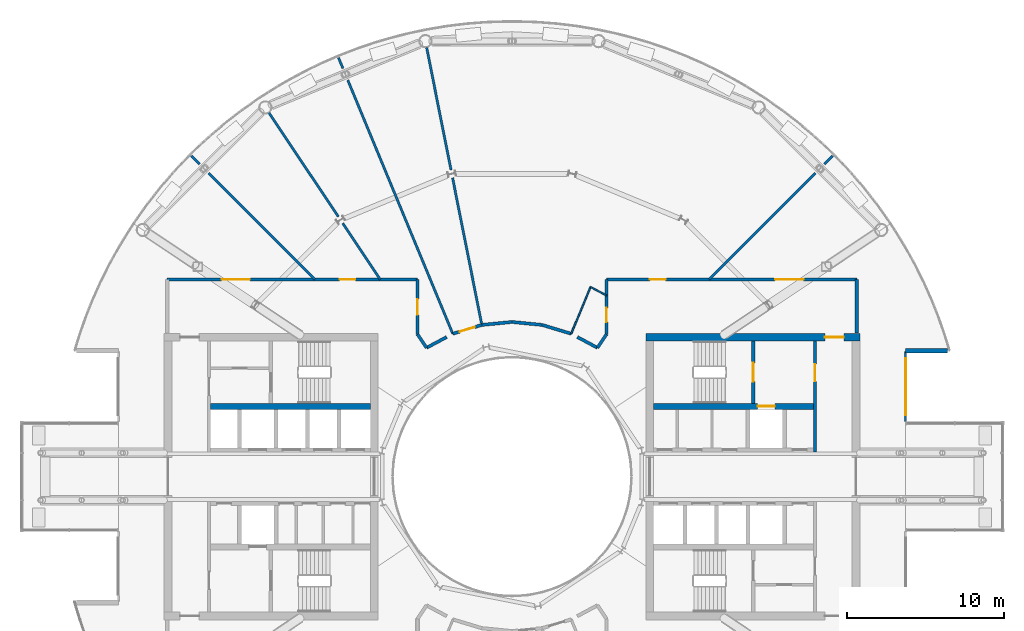
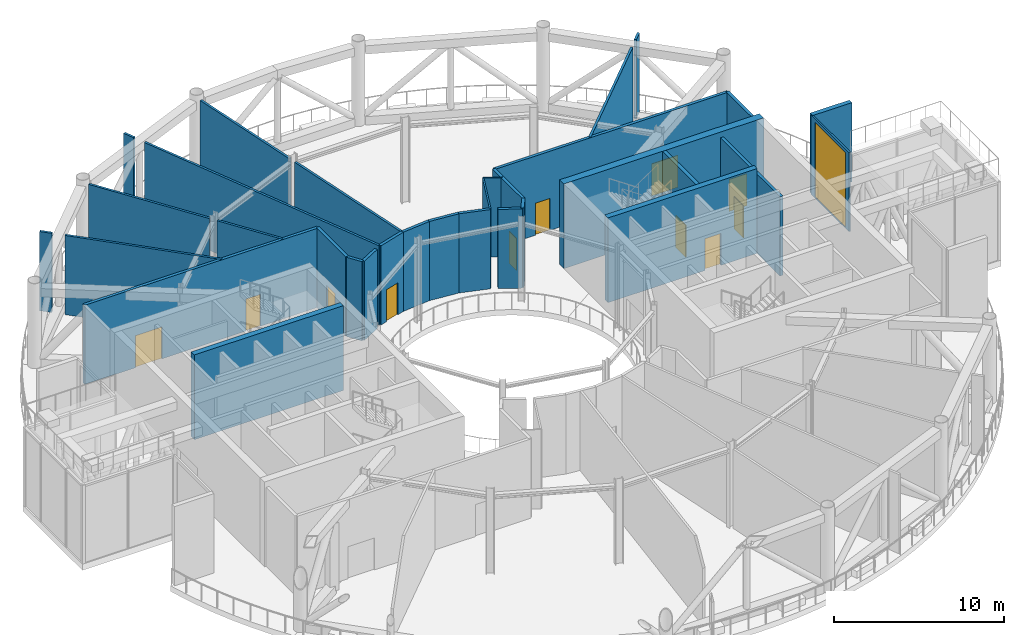
# One storey, part 15 of 24: 32 walls, 11 doors, 1 window, 12 openings.
"""IFC4 building model written with IfcOpenShell, lengths in metres."""

from ifc_helpers import new_model, si_unit, direction, frame, frame_2d, origin, place, context, subcontext, project, spatial, rectangle, extrude, material, layer, layer_set, type_object, element, fill, save


model = new_model("IFC4")

# Units and contexts
model_context = context("Model", 3, precision=1e-05, world=origin(), true_north=direction((0.0, 1.0)))
body_context = subcontext(model_context, "Body", "Model", "MODEL_VIEW")
ifc_project = project(units=[si_unit("LENGTHUNIT", "METRE"), si_unit("AREAUNIT", "SQUARE_METRE"), si_unit("VOLUMEUNIT", "CUBIC_METRE"), si_unit("PLANEANGLEUNIT", "RADIAN"), si_unit("MASSUNIT", "GRAM", prefix="KILO")], contexts=[model_context])

# Site, building, storey
site_placement = place(None, origin())
site = spatial("IfcSite", under=ifc_project, at=site_placement, CompositionType="ELEMENT")
building_placement = place(site_placement, origin())
building = spatial("IfcBuilding", under=site, at=building_placement, Name="Maasbend Ring Residences", CompositionType="ELEMENT")
storey_placement = place(building_placement, frame((0.0, 0.0, 179.89990234375)))
storey = spatial("IfcBuildingStorey", under=building, at=storey_placement, Name="L52", CompositionType="ELEMENT", Elevation=179.89990234375)

# Wall, opening, door
ifc_material_1 = material(Name="Concrete C60/75", Category="concrete")
ifc_layer_1 = layer(ifc_material_1, 0.25)
ifc_layer_set_1 = layer_set([ifc_layer_1], Name="Concrete C60/75")
wall_type_1 = type_object("IfcWallType", Name="CORE WALL 250 C60/75", PredefinedType="SHEAR", material=ifc_layer_set_1)
wall_1_placement = place(storey_placement, frame((15.324951171875, 4.64990234375, 0.0), z_axis=(0.0, 0.0, 1.0), x_axis=(0.0, 1.0, 0.0)))
wall_1 = element("IfcWall", 1, at=wall_1_placement, inside=storey, type_object=wall_type_1, Name="L52 core E wall STEN", PredefinedType="SHEAR", context=body_context, shape_type="SweptSolid", body=[
    extrude(rectangle(XDim=3.9501953125, YDim=0.25, at=frame_2d((1.97509765625, 0.0))), origin(), (0.0, 0.0, 1.0), 6.10009765625),
])
opening_1_placement = place(wall_1_placement, frame((1.375, 0.0, 0.0)))
opening_1 = element("IfcOpeningElement", 2, at=opening_1_placement, cuts=wall_1, Name="Opening D-E5212", PredefinedType="OPENING", context=body_context, shape_type="SweptSolid", body=[
    extrude(rectangle(XDim=1.199951171875, YDim=2.300048828125, at=frame_2d((0.60009765625, 1.14990234375))), frame((0.0, 0.135009765625, 0.0), z_axis=(0.0, -1.0, 0.0), x_axis=(1.0, 0.0, 0.0)), (0.0, 0.0, 1.0), 0.27001953125),
])
ifc_material_2 = material(Name="Steel, powder coated", Category="steel")
door_type_1 = type_object("IfcDoorType", Name="STAIR DOOR 1200 X 2300 FD60", OperationType="NOTDEFINED", PredefinedType="DOOR", material=ifc_material_2)
door_1_placement = place(opening_1_placement, origin())
door_1 = element("IfcDoor", 3, at=door_1_placement, inside=storey, type_object=door_type_1, Name="Stair door ST-E L52", OperationType="SINGLE_SWING_LEFT", OverallHeight=2.300048828125, OverallWidth=1.199951171875, PredefinedType="DOOR", context=body_context, shape_type="SweptSolid", body=[
    extrude(rectangle(XDim=1.199951171875, YDim=2.300048828125, at=frame_2d((0.60009765625, 1.14990234375))), frame((0.0, 0.02490234375, 0.0), z_axis=(0.0, -1.0, 0.0), x_axis=(1.0, 0.0, 0.0)), (0.0, 0.0, 1.0), 0.050048828125),
])
fill(opening_1, door_1)

ifc_material_3 = material(Name="Concrete C60/75", Category="concrete")
ifc_layer_2 = layer(ifc_material_3, 0.375)
ifc_layer_set_2 = layer_set([ifc_layer_2], Name="Concrete C60/75")
wall_type_2 = type_object("IfcWallType", Name="CORE WALL 375 C60/75", PredefinedType="SHEAR", material=ifc_layer_set_2)
wall_2_placement = place(storey_placement, frame((9.0, 4.46240234375, 0.0), z_axis=(0.0, 0.0, 1.0), x_axis=(1.0, 0.0, 0.0)))
wall_2 = element("IfcWall", 4, at=wall_2_placement, inside=storey, type_object=wall_type_2, Name="L52 core E wall BN", PredefinedType="SHEAR", context=body_context, shape_type="SweptSolid", body=[
    extrude(rectangle(XDim=10.14990234375, YDim=0.375, at=frame_2d((5.074951171875, 0.0))), origin(), (0.0, 0.0, 1.0), 6.10009765625),
])
opening_2_placement = place(wall_2_placement, frame((6.60009765625, 0.0, 0.0)))
opening_2 = element("IfcOpeningElement", 5, at=opening_2_placement, cuts=wall_2, Name="Opening LD-E5201", PredefinedType="OPENING", context=body_context, shape_type="SweptSolid", body=[
    extrude(rectangle(XDim=1.10009765625, YDim=2.300048828125, at=frame_2d((0.550048828125, 1.14990234375))), frame((0.0, 0.197509765625, 0.0), z_axis=(0.0, -1.0, 0.0), x_axis=(1.0, 0.0, 0.0)), (0.0, 0.0, 1.0), 0.39501953125),
])
ifc_material_4 = material(Name="Stainless steel 316", Category="steel")
door_type_2 = type_object("IfcDoorType", Name="LANDING DOOR 1100 X 2300 FD60", OperationType="DOUBLE_DOOR_SLIDING", PredefinedType="DOOR", material=ifc_material_4)
door_2_placement = place(opening_2_placement, origin())
door_2 = element("IfcDoor", 6, at=door_2_placement, inside=storey, type_object=door_type_2, Name="Landing door FF-E L52", OperationType="DOUBLE_DOOR_SLIDING", OverallHeight=2.300048828125, OverallWidth=1.10009765625, PredefinedType="DOOR", context=body_context, shape_type="SweptSolid", body=[
    extrude(rectangle(XDim=1.10009765625, YDim=2.300048828125, at=frame_2d((0.550048828125, 1.14990234375))), frame((0.0, 0.02490234375, 0.0), z_axis=(0.0, -1.0, 0.0), x_axis=(1.0, 0.0, 0.0)), (0.0, 0.0, 1.0), 0.050048828125),
])
fill(opening_2, door_2)

# Wall
wall_3_placement = place(storey_placement, frame((-9.0, 4.46240234375, 0.0), z_axis=(0.0, 0.0, 1.0), x_axis=(-1.0, 0.0, 0.0)))
element("IfcWall", 7, at=wall_3_placement, inside=storey, type_object=wall_type_2, Name="L52 core W wall BS", PredefinedType="SHEAR", context=body_context, shape_type="SweptSolid", body=[
    extrude(rectangle(XDim=10.14990234375, YDim=0.375, at=frame_2d((5.074951171875, 0.0))), origin(), (0.0, 0.0, 1.0), 6.10009765625),
])

# Wall, opening, door
ifc_material_5 = material(Name="Concrete C60/75", Category="concrete")
ifc_layer_3 = layer(ifc_material_5, 0.5)
ifc_layer_set_3 = layer_set([ifc_layer_3], Name="Concrete C60/75")
wall_type_3 = type_object("IfcWallType", Name="CORE WALL 500 C60/75", PredefinedType="SHEAR", material=ifc_layer_set_3)
wall_4_placement = place(storey_placement, frame((22.10009765625, 8.85009765625, 0.0), z_axis=(0.0, 0.0, 1.0), x_axis=(-1.0, 0.0, 0.0)))
wall_4 = element("IfcWall", 8, at=wall_4_placement, inside=storey, type_object=wall_type_3, Name="L52 core E wall PN", PredefinedType="SHEAR", context=body_context, shape_type="SweptSolid", body=[
    extrude(rectangle(XDim=13.60009765625, YDim=0.5, at=frame_2d((6.800048828125, 0.0))), origin(), (0.0, 0.0, 1.0), 6.10009765625),
])
opening_3_placement = place(wall_4_placement, frame((1.02490234375, 0.0, 0.0)))
opening_3 = element("IfcOpeningElement", 9, at=opening_3_placement, cuts=wall_4, Name="Opening D-E5216", PredefinedType="OPENING", context=body_context, shape_type="SweptSolid", body=[
    extrude(rectangle(XDim=1.199951171875, YDim=2.300048828125, at=frame_2d((0.60009765625, 1.14990234375))), frame((0.0, 0.260009765625, 0.0), z_axis=(0.0, -1.0, 0.0), x_axis=(1.0, 0.0, 0.0)), (0.0, 0.0, 1.0), 0.52001953125),
])
ifc_material_6 = material(Name="Steel, powder coated", Category="steel")
door_type_3 = type_object("IfcDoorType", Name="CORRIDOR DOOR 1200 X 2300 FD30S", OperationType="NOTDEFINED", PredefinedType="DOOR", material=ifc_material_6)
door_3_placement = place(opening_3_placement, origin())
door_3 = element("IfcDoor", 10, at=door_3_placement, inside=storey, type_object=door_type_3, Name="Corridor door L52", OperationType="SINGLE_SWING_RIGHT", OverallHeight=2.300048828125, OverallWidth=1.199951171875, PredefinedType="DOOR", context=body_context, shape_type="SweptSolid", body=[
    extrude(rectangle(XDim=1.199951171875, YDim=2.300048828125, at=frame_2d((0.60009765625, 1.14990234375))), frame((0.0, 0.02490234375, 0.0), z_axis=(0.0, -1.0, 0.0), x_axis=(1.0, 0.0, 0.0)), (0.0, 0.0, 1.0), 0.050048828125),
])
fill(opening_3, door_3)

# Wall
ifc_material_7 = material(Name="Concrete C30/37", Category="concrete")
ifc_layer_4 = layer(ifc_material_7, 0.199951171875)
ifc_layer_set_4 = layer_set([ifc_layer_4], Name="Concrete C30/37")
wall_type_4 = type_object("IfcWallType", Name="CORRIDOR WALL 200 CONCRETE", PredefinedType="PARTITIONING", material=ifc_layer_set_4)
wall_5_placement = place(storey_placement, frame((21.89990234375, 9.1201171875, 0.0), z_axis=(0.0, 0.0, 1.0), x_axis=(0.0, 1.0, 0.0)))
element("IfcWall", 11, at=wall_5_placement, inside=storey, type_object=wall_type_4, Name="U-L52-w002", PredefinedType="PARTITIONING", context=body_context, shape_type="SweptSolid", body=[
    extrude(rectangle(XDim=3.39990234375, YDim=0.199951171875, at=frame_2d((1.699951171875, 0.0))), origin(), (0.0, 0.0, 1.0), 5.7001953125),
])

# Wall, opening, door
wall_6_placement = place(storey_placement, frame((6.0, 9.033935546875, 0.0), z_axis=(0.0, 0.0, 1.0), x_axis=(0.0, 1.0, 0.0)))
wall_6 = element("IfcWall", 12, at=wall_6_placement, inside=storey, type_object=wall_type_4, Name="U-L52-w013", PredefinedType="PARTITIONING", context=body_context, shape_type="SweptSolid", body=[
    extrude(rectangle(XDim=3.486083984375, YDim=0.199951171875, at=frame_2d((1.7431640625, 0.0))), origin(), (0.0, 0.0, 1.0), 5.7001953125),
])
opening_4_placement = place(wall_6_placement, frame((0.783935546875, 0.0, 0.0)))
opening_4 = element("IfcOpeningElement", 13, at=opening_4_placement, cuts=wall_6, Name="Opening D-5201", PredefinedType="OPENING", context=body_context, shape_type="SweptSolid", body=[
    extrude(rectangle(XDim=0.89990234375, YDim=2.300048828125, at=frame_2d((0.449951171875, 1.14990234375))), frame((0.0, 0.10986328125, 0.0), z_axis=(0.0, -1.0, 0.0), x_axis=(1.0, 0.0, 0.0)), (0.0, 0.0, 1.0), 0.219970703125),
])
ifc_material_8 = material(Name="Timber, painted", Category="wood")
door_type_4 = type_object("IfcDoorType", Name="INTERNAL DOOR 900 X 2300", OperationType="NOTDEFINED", PredefinedType="DOOR", material=ifc_material_8)
door_4_placement = place(opening_4_placement, origin())
door_4 = element("IfcDoor", 14, at=door_4_placement, inside=storey, type_object=door_type_4, Name="D-5201", OperationType="SINGLE_SWING_LEFT", OverallHeight=2.300048828125, OverallWidth=0.89990234375, PredefinedType="DOOR", context=body_context, shape_type="SweptSolid", body=[
    extrude(rectangle(XDim=0.89990234375, YDim=2.300048828125, at=frame_2d((0.449951171875, 1.14990234375))), frame((0.0, 0.02490234375, 0.0), z_axis=(0.0, -1.0, 0.0), x_axis=(1.0, 0.0, 0.0)), (0.0, 0.0, 1.0), 0.050048828125),
])
fill(opening_4, door_4)

# Walls
for number, where, z_axis, x_axis, name in (
    (15, (-6.0, 9.033935546875, 0.0), (0.0, 0.0, 1.0), (0.555412364489, -0.831575075007, 0.0), "U-L52-w040"),
    (16, (5.428955078125, 8.178955078125, 0.0), (0.0, 0.0, 1.0), (0.555412364489, 0.831575075007, 0.0), "U-L52-w041"),
):
    element("IfcWall", number, at=place(storey_placement, frame(where, z_axis=z_axis, x_axis=x_axis)), inside=storey, type_object=wall_type_4, Name=name, PredefinedType="PARTITIONING", context=body_context, shape_type="SweptSolid", body=[
        extrude(rectangle(XDim=1.028076171875, YDim=0.199951171875, at=frame_2d((0.51416015625, 0.0))), origin(), (0.0, 0.0, 1.0), 5.7001953125),
    ])

# Wall, opening, door
wall_7_placement = place(storey_placement, frame((-6.0, 9.033935546875, 0.0), z_axis=(0.0, 0.0, 1.0), x_axis=(0.0, 1.0, 0.0)))
wall_7 = element("IfcWall", 17, at=wall_7_placement, inside=storey, type_object=wall_type_4, Name="U-L52-w043", PredefinedType="PARTITIONING", context=body_context, shape_type="SweptSolid", body=[
    extrude(rectangle(XDim=3.486083984375, YDim=0.199951171875, at=frame_2d((1.7431640625, 0.0))), origin(), (0.0, 0.0, 1.0), 5.7001953125),
])
opening_5_placement = place(wall_7_placement, frame((1.242919921875, 0.0, 0.0)))
opening_5 = element("IfcOpeningElement", 18, at=opening_5_placement, cuts=wall_7, Name="Opening D-5204", PredefinedType="OPENING", context=body_context, shape_type="SweptSolid", body=[
    extrude(rectangle(XDim=1.0, YDim=2.300048828125, at=frame_2d((0.5, 1.14990234375))), frame((0.0, 0.10986328125, 0.0), z_axis=(0.0, -1.0, 0.0), x_axis=(1.0, 0.0, 0.0)), (0.0, 0.0, 1.0), 0.219970703125),
])
ifc_material_9 = material(Name="Timber, painted", Category="wood")
door_type_5 = type_object("IfcDoorType", Name="ROOM DOOR 1000 X 2300", OperationType="NOTDEFINED", PredefinedType="DOOR", material=ifc_material_9)
door_5_placement = place(opening_5_placement, origin())
door_5 = element("IfcDoor", 19, at=door_5_placement, inside=storey, type_object=door_type_5, Name="D-5204", OperationType="SINGLE_SWING_RIGHT", OverallHeight=2.300048828125, OverallWidth=1.0, PredefinedType="DOOR", context=body_context, shape_type="SweptSolid", body=[
    extrude(rectangle(XDim=1.0, YDim=2.300048828125, at=frame_2d((0.5, 1.14990234375))), frame((0.0, 0.02490234375, 0.0), z_axis=(0.0, -1.0, 0.0), x_axis=(1.0, 0.0, 0.0)), (0.0, 0.0, 1.0), 0.050048828125),
])
fill(opening_5, door_5)

# Wall
wall_8_placement = place(storey_placement, frame((-5.428955078125, 8.178955078125, 0.0), z_axis=(0.0, 0.0, 1.0), x_axis=(0.88193287619, 0.471375011954, 0.0)))
element("IfcWall", 20, at=wall_8_placement, inside=storey, type_object=wall_type_4, Name="U-L52-w044", PredefinedType="PARTITIONING", context=body_context, shape_type="SweptSolid", body=[
    extrude(rectangle(XDim=1.44921875, YDim=0.199951171875, at=frame_2d((0.724609375, 0.0))), origin(), (0.0, 0.0, 1.0), 5.7001953125),
])

# Wall, opening, door
wall_9_placement = place(storey_placement, frame((-3.758056640625, 9.072021484375, 0.0), z_axis=(0.0, 0.0, 1.0), x_axis=(0.956896312675, 0.29042976223, 0.0)))
wall_9 = element("IfcWall", 21, at=wall_9_placement, inside=storey, type_object=wall_type_4, Name="U-L52-w045", PredefinedType="PARTITIONING", context=body_context, shape_type="SweptSolid", body=[
    extrude(rectangle(XDim=1.925048828125, YDim=0.199951171875, at=frame_2d((0.96240234375, 0.0))), origin(), (0.0, 0.0, 1.0), 5.7001953125),
])
opening_6_placement = place(wall_9_placement, frame((0.4619140625, 0.0, 0.0)))
opening_6 = element("IfcOpeningElement", 22, at=opening_6_placement, cuts=wall_9, Name="Opening D-5203", PredefinedType="OPENING", context=body_context, shape_type="SweptSolid", body=[
    extrude(rectangle(XDim=1.0, YDim=2.300048828125, at=frame_2d((0.5, 1.14990234375))), frame((0.0, 0.10986328125, 0.0), z_axis=(0.0, -1.0, 0.0), x_axis=(1.0, 0.0, 0.0)), (0.0, 0.0, 1.0), 0.219970703125),
])
door_6_placement = place(opening_6_placement, origin())
door_6 = element("IfcDoor", 23, at=door_6_placement, inside=storey, type_object=door_type_5, Name="D-5203", OperationType="SINGLE_SWING_RIGHT", OverallHeight=2.300048828125, OverallWidth=1.0, PredefinedType="DOOR", context=body_context, shape_type="SweptSolid", body=[
    extrude(rectangle(XDim=1.0, YDim=2.300048828125, at=frame_2d((0.5, 1.14990234375))), frame((0.0, 0.02490234375, 0.0), z_axis=(0.0, -1.0, 0.0), x_axis=(1.0, 0.0, 0.0)), (0.0, 0.0, 1.0), 0.050048828125),
])
fill(opening_6, door_6)

# Walls
for number, where, z_axis, x_axis, name in (
    (24, (-1.916015625, 9.631103515625, 0.0), (0.0, 0.0, 1.0), (0.995171860647, 0.098147683504, 0.0), "U-L52-w046"),
    (25, (0.0, 9.820068359375, 0.0), (0.0, 0.0, 1.0), (0.995171860647, -0.098147683504, 0.0), "U-L52-w047"),
):
    element("IfcWall", number, at=place(storey_placement, frame(where, z_axis=z_axis, x_axis=x_axis)), inside=storey, type_object=wall_type_4, Name=name, PredefinedType="PARTITIONING", context=body_context, shape_type="SweptSolid", body=[
        extrude(rectangle(XDim=1.92529296875, YDim=0.199951171875, at=frame_2d((0.962646484375, 0.0))), origin(), (0.0, 0.0, 1.0), 5.7001953125),
    ])
wall_10_placement = place(storey_placement, frame((1.916015625, 9.631103515625, 0.0), z_axis=(0.0, 0.0, 1.0), x_axis=(0.956896312675, -0.29042976223, 0.0)))
element("IfcWall", 26, at=wall_10_placement, inside=storey, type_object=wall_type_4, Name="U-L52-w048", PredefinedType="PARTITIONING", context=body_context, shape_type="SweptSolid", body=[
    extrude(rectangle(XDim=1.925048828125, YDim=0.199951171875, at=frame_2d((0.96240234375, 0.0))), origin(), (0.0, 0.0, 1.0), 5.7001953125),
])
wall_11_placement = place(storey_placement, frame((4.15087890625, 8.863037109375, 0.0), z_axis=(0.0, 0.0, 1.0), x_axis=(0.881652665802, -0.471898905364, 0.0)))
element("IfcWall", 27, at=wall_11_placement, inside=storey, type_object=wall_type_4, Name="U-L52-w049", PredefinedType="PARTITIONING", context=body_context, shape_type="SweptSolid", body=[
    extrude(rectangle(XDim=1.44970703125, YDim=0.199951171875, at=frame_2d((0.724853515625, 0.0))), origin(), (0.0, 0.0, 1.0), 5.7001953125),
])

# Wall, openings, doors
wall_12_placement = place(storey_placement, frame((-21.89990234375, 12.52001953125, 0.0), z_axis=(0.0, 0.0, 1.0), x_axis=(1.0, 0.0, 0.0)))
wall_12 = element("IfcWall", 28, at=wall_12_placement, inside=storey, type_object=wall_type_4, Name="U-L52-w050", PredefinedType="PARTITIONING", context=body_context, shape_type="SweptSolid", body=[
    extrude(rectangle(XDim=15.89990234375, YDim=0.199951171875, at=frame_2d((7.949951171875, 0.0))), origin(), (0.0, 0.0, 1.0), 5.7001953125),
])
opening_7_placement = place(wall_12_placement, frame((10.95703125, 0.0, 0.0)))
opening_7 = element("IfcOpeningElement", 29, at=opening_7_placement, cuts=wall_12, Name="Opening D-5205", PredefinedType="OPENING", context=body_context, shape_type="SweptSolid", body=[
    extrude(rectangle(XDim=1.0, YDim=2.300048828125, at=frame_2d((0.5, 1.14990234375))), frame((0.0, 0.10986328125, 0.0), z_axis=(0.0, -1.0, 0.0), x_axis=(1.0, 0.0, 0.0)), (0.0, 0.0, 1.0), 0.219970703125),
])
opening_8_placement = place(wall_12_placement, frame((3.449951171875, 0.0, 0.0)))
opening_8 = element("IfcOpeningElement", 30, at=opening_8_placement, cuts=wall_12, Name="Opening D-5212", PredefinedType="OPENING", context=body_context, shape_type="SweptSolid", body=[
    extrude(rectangle(XDim=1.800048828125, YDim=2.300048828125, at=frame_2d((0.89990234375, 1.14990234375))), frame((0.0, 0.10986328125, 0.0), z_axis=(0.0, -1.0, 0.0), x_axis=(1.0, 0.0, 0.0)), (0.0, 0.0, 1.0), 0.219970703125),
])
ifc_material_10 = material(Name="Timber, painted", Category="wood")
door_type_6 = type_object("IfcDoorType", Name="DOUBLE DOOR 1800 X 2300", OperationType="NOTDEFINED", PredefinedType="DOOR", material=ifc_material_10)
door_7_placement = place(opening_8_placement, origin())
door_7 = element("IfcDoor", 31, at=door_7_placement, inside=storey, type_object=door_type_6, Name="D-5212", OperationType="DOUBLE_DOOR_SINGLE_SWING", OverallHeight=2.300048828125, OverallWidth=1.800048828125, PredefinedType="DOOR", context=body_context, shape_type="SweptSolid", body=[
    extrude(rectangle(XDim=1.800048828125, YDim=2.300048828125, at=frame_2d((0.89990234375, 1.14990234375))), frame((0.0, 0.02490234375, 0.0), z_axis=(0.0, -1.0, 0.0), x_axis=(1.0, 0.0, 0.0)), (0.0, 0.0, 1.0), 0.050048828125),
])
fill(opening_8, door_7)
door_8_placement = place(opening_7_placement, origin())
door_8 = element("IfcDoor", 32, at=door_8_placement, inside=storey, type_object=door_type_5, Name="D-5205", OperationType="SINGLE_SWING_RIGHT", OverallHeight=2.300048828125, OverallWidth=1.0, PredefinedType="DOOR", context=body_context, shape_type="SweptSolid", body=[
    extrude(rectangle(XDim=1.0, YDim=2.300048828125, at=frame_2d((0.5, 1.14990234375))), frame((0.0, 0.02490234375, 0.0), z_axis=(0.0, -1.0, 0.0), x_axis=(1.0, 0.0, 0.0)), (0.0, 0.0, 1.0), 0.050048828125),
])
fill(opening_7, door_8)

wall_13_placement = place(storey_placement, frame((6.0, 12.52001953125, 0.0), z_axis=(0.0, 0.0, 1.0), x_axis=(1.0, 0.0, 0.0)))
wall_13 = element("IfcWall", 33, at=wall_13_placement, inside=storey, type_object=wall_type_4, Name="U-L52-w051", PredefinedType="PARTITIONING", context=body_context, shape_type="SweptSolid", body=[
    extrude(rectangle(XDim=15.89990234375, YDim=0.199951171875, at=frame_2d((7.949951171875, 0.0))), origin(), (0.0, 0.0, 1.0), 5.7001953125),
])
opening_9_placement = place(wall_13_placement, frame((2.760009765625, 0.0, 0.0)))
opening_9 = element("IfcOpeningElement", 34, at=opening_9_placement, cuts=wall_13, Name="Opening D-5202", PredefinedType="OPENING", context=body_context, shape_type="SweptSolid", body=[
    extrude(rectangle(XDim=1.0, YDim=2.300048828125, at=frame_2d((0.5, 1.14990234375))), frame((0.0, 0.10986328125, 0.0), z_axis=(0.0, -1.0, 0.0), x_axis=(1.0, 0.0, 0.0)), (0.0, 0.0, 1.0), 0.219970703125),
])
opening_10_placement = place(wall_13_placement, frame((10.719970703125, 0.0, 0.0)))
opening_10 = element("IfcOpeningElement", 35, at=opening_10_placement, cuts=wall_13, Name="Opening D-5211", PredefinedType="OPENING", context=body_context, shape_type="SweptSolid", body=[
    extrude(rectangle(XDim=1.800048828125, YDim=2.300048828125, at=frame_2d((0.89990234375, 1.14990234375))), frame((0.0, 0.10986328125, 0.0), z_axis=(0.0, -1.0, 0.0), x_axis=(1.0, 0.0, 0.0)), (0.0, 0.0, 1.0), 0.219970703125),
])
door_9_placement = place(opening_10_placement, origin())
door_9 = element("IfcDoor", 36, at=door_9_placement, inside=storey, type_object=door_type_6, Name="D-5211", OperationType="DOUBLE_DOOR_SINGLE_SWING", OverallHeight=2.300048828125, OverallWidth=1.800048828125, PredefinedType="DOOR", context=body_context, shape_type="SweptSolid", body=[
    extrude(rectangle(XDim=1.800048828125, YDim=2.300048828125, at=frame_2d((0.89990234375, 1.14990234375))), frame((0.0, 0.02490234375, 0.0), z_axis=(0.0, -1.0, 0.0), x_axis=(1.0, 0.0, 0.0)), (0.0, 0.0, 1.0), 0.050048828125),
])
fill(opening_10, door_9)
door_10_placement = place(opening_9_placement, origin())
door_10 = element("IfcDoor", 37, at=door_10_placement, inside=storey, type_object=door_type_5, Name="D-5202", OperationType="SINGLE_SWING_LEFT", OverallHeight=2.300048828125, OverallWidth=1.0, PredefinedType="DOOR", context=body_context, shape_type="SweptSolid", body=[
    extrude(rectangle(XDim=1.0, YDim=2.300048828125, at=frame_2d((0.5, 1.14990234375))), frame((0.0, 0.02490234375, 0.0), z_axis=(0.0, -1.0, 0.0), x_axis=(1.0, 0.0, 0.0)), (0.0, 0.0, 1.0), 0.050048828125),
])
fill(opening_9, door_10)

# Wall
ifc_material_11 = material(Name="Aluminium clad insulated panel", Category="aluminium")
ifc_layer_5 = layer(ifc_material_11, 0.300048828125)
ifc_layer_set_5 = layer_set([ifc_layer_5], Name="EW-RET")
wall_type_5 = type_object("IfcWallType", Name="EW-RET", PredefinedType="SOLIDWALL", material=ifc_layer_set_5)
wall_14_placement = place(storey_placement, frame((25.0, 8.0, 0.0), z_axis=(0.0, 0.0, 1.0), x_axis=(1.0, 0.0, 0.0)))
element("IfcWall", 38, at=wall_14_placement, inside=storey, type_object=wall_type_5, Name="Notch return wall east north", PredefinedType="SOLIDWALL", context=body_context, shape_type="SweptSolid", body=[
    extrude(rectangle(XDim=2.6669921875, YDim=0.300048828125, at=frame_2d((1.33349609375, 0.0))), origin(), (0.0, 0.0, 1.0), 5.7001953125),
])

# Wall, opening, window
ifc_material_12 = material(Name="Aluminium frame and clear glass", Category="aluminium")
ifc_layer_6 = layer(ifc_material_12, 0.1201171875)
ifc_layer_set_6 = layer_set([ifc_layer_6], Name="GLAZED SCREEN WALL 120 EI 60")
wall_type_6 = type_object("IfcWallType", Name="GLAZED SCREEN WALL 120 EI 60", PredefinedType="PARTITIONING", material=ifc_layer_set_6)
wall_15_placement = place(storey_placement, frame((25.0, 3.5, 0.0), z_axis=(0.0, 0.0, 1.0), x_axis=(0.0, 1.0, 0.0)))
wall_15 = element("IfcWall", 39, at=wall_15_placement, inside=storey, type_object=wall_type_6, Name="L52 core E wall FACEB", PredefinedType="PARTITIONING", context=body_context, shape_type="SweptSolid", body=[
    extrude(rectangle(XDim=4.449951171875, YDim=0.1201171875, at=frame_2d((2.22509765625, 0.0))), origin(), (0.0, 0.0, 1.0), 5.7001953125),
])
opening_11_placement = place(wall_15_placement, frame((0.39990234375, 0.0, 0.10009765625)))
opening_11 = element("IfcOpeningElement", 40, at=opening_11_placement, cuts=wall_15, Name="Opening W-E5203", PredefinedType="OPENING", context=body_context, shape_type="SweptSolid", body=[
    extrude(rectangle(XDim=3.60009765625, YDim=5.35009765625, at=frame_2d((1.800048828125, 2.675048828125))), frame((0.0, 0.070068359375, 0.0), z_axis=(0.0, -1.0, 0.0), x_axis=(1.0, 0.0, 0.0)), (0.0, 0.0, 1.0), 0.14013671875),
])
ifc_material_13 = material(Name="Aluminium frame and clear glass", Category="aluminium")
window_type = type_object("IfcWindowType", Name="FIXED WINDOW 3600 X 5350", PartitioningType="SINGLE_PANEL", PredefinedType="WINDOW", material=ifc_material_13)
window_placement = place(opening_11_placement, origin())
window = element("IfcWindow", 41, at=window_placement, inside=storey, type_object=window_type, Name="Lobby window L52", OverallHeight=5.35009765625, OverallWidth=3.60009765625, PartitioningType="SINGLE_PANEL", PredefinedType="WINDOW", context=body_context, shape_type="SweptSolid", body=[
    extrude(rectangle(XDim=3.60009765625, YDim=5.35009765625, at=frame_2d((1.800048828125, 2.675048828125))), frame((0.0, 0.030029296875, 0.0), z_axis=(0.0, -1.0, 0.0), x_axis=(1.0, 0.0, 0.0)), (0.0, 0.0, 1.0), 0.06005859375),
])
fill(opening_11, window)

# Walls
ifc_material_14 = material(Name="Gypsum board on steel studs", Category="steel")
ifc_layer_7 = layer(ifc_material_14, 0.10009765625)
ifc_layer_set_7 = layer_set([ifc_layer_7], Name="PARTITION 100 GYPSUM")
wall_type_7 = type_object("IfcWallType", Name="PARTITION 100 GYPSUM", PredefinedType="PARTITIONING", material=ifc_layer_set_7)
wall_16_placement = place(storey_placement, frame((3.758056640625, 9.072021484375, 0.0), z_axis=(0.0, 0.0, 1.0), x_axis=(0.382517205945, 0.923948368231, 0.0)))
element("IfcWall", 42, at=wall_16_placement, inside=storey, type_object=wall_type_7, Name="U-L52-w031", PredefinedType="PARTITIONING", context=body_context, shape_type="SweptSolid", body=[
    extrude(rectangle(XDim=3.215576171875, YDim=0.10009765625, at=frame_2d((1.60791015625, 0.0))), origin(), (0.0, 0.0, 1.0), 5.7001953125),
])
wall_17_placement = place(storey_placement, frame((4.988037109375, 12.04296875, 0.0), z_axis=(0.0, 0.0, 1.0), x_axis=(0.882235076446, -0.470809165042, 0.0)))
element("IfcWall", 43, at=wall_17_placement, inside=storey, type_object=wall_type_7, Name="U-L52-w052", PredefinedType="PARTITIONING", context=body_context, shape_type="SweptSolid", body=[
    extrude(rectangle(XDim=1.14697265625, YDim=0.10009765625, at=frame_2d((0.573486328125, 0.0))), origin(), (0.0, 0.0, 1.0), 5.7001953125),
])
ifc_material_15 = material(Name="Gypsum board on steel studs", Category="steel")
ifc_layer_8 = layer(ifc_material_15, 0.14990234375)
ifc_layer_set_8 = layer_set([ifc_layer_8], Name="PARTITION 150 GYPSUM")
wall_type_8 = type_object("IfcWallType", Name="PARTITION 150 GYPSUM", PredefinedType="PARTITIONING", material=ifc_layer_set_8)
wall_18_placement = place(storey_placement, frame((-11.02099609375, 26.60791015625, 0.0), z_axis=(0.0, 0.0, 1.0), x_axis=(0.382535780864, -0.923940677943, 0.0)))
element("IfcWall", 44, at=wall_18_placement, inside=storey, type_object=wall_type_8, Name="U-L52-w016", PredefinedType="PARTITIONING", context=body_context, shape_type="SweptSolid", body=[
    extrude(rectangle(XDim=0.7421875, YDim=0.14990234375, at=frame_2d((0.37109375, 0.0))), origin(), (0.0, 0.0, 1.0), 5.7001953125),
])
wall_19_placement = place(storey_placement, frame((-10.430908203125, 25.18310546875, 0.0), z_axis=(0.0, 0.0, 1.0), x_axis=(0.382491934833, -0.923958830137, 0.0)))
element("IfcWall", 45, at=wall_19_placement, inside=storey, type_object=wall_type_8, Name="U-L52-w017", PredefinedType="PARTITIONING", context=body_context, shape_type="SweptSolid", body=[
    extrude(rectangle(XDim=17.43798828125, YDim=0.14990234375, at=frame_2d((8.718994140625, 0.0))), origin(), (0.0, 0.0, 1.0), 5.7001953125),
])
wall_20_placement = place(storey_placement, frame((-20.364990234375, 20.364990234375, 0.0), z_axis=(0.0, 0.0, 1.0), x_axis=(0.707106781187, -0.707106781187, 0.0)))
element("IfcWall", 46, at=wall_20_placement, inside=storey, type_object=wall_type_8, Name="U-L52-w019", PredefinedType="PARTITIONING", context=body_context, shape_type="SweptSolid", body=[
    extrude(rectangle(XDim=0.742431640625, YDim=0.14990234375, at=frame_2d((0.37109375, 0.0))), origin(), (0.0, 0.0, 1.0), 5.7001953125),
])
wall_21_placement = place(storey_placement, frame((-19.27392578125, 19.27392578125, 0.0), z_axis=(0.0, 0.0, 1.0), x_axis=(0.707106781187, -0.707106781187, 0.0)))
element("IfcWall", 47, at=wall_21_placement, inside=storey, type_object=wall_type_8, Name="U-L52-w021", PredefinedType="PARTITIONING", context=body_context, shape_type="SweptSolid", body=[
    extrude(rectangle(XDim=9.551513671875, YDim=0.14990234375, at=frame_2d((4.77587890625, 0.0))), origin(), (0.0, 0.0, 1.0), 5.7001953125),
])
wall_22_placement = place(storey_placement, frame((-15.445068359375, 23.115966796875, 0.0), z_axis=(0.0, 0.0, 1.0), x_axis=(0.555536068825, -0.831492439073, 0.0)))
element("IfcWall", 48, at=wall_22_placement, inside=storey, type_object=wall_type_8, Name="U-L52-w022", PredefinedType="PARTITIONING", context=body_context, shape_type="SweptSolid", body=[
    extrude(rectangle(XDim=7.950927734375, YDim=0.14990234375, at=frame_2d((3.9755859375, 0.0))), origin(), (0.0, 0.0, 1.0), 5.7001953125),
])
wall_23_placement = place(storey_placement, frame((-10.75, 16.089111328125, 0.0), z_axis=(0.0, 0.0, 1.0), x_axis=(0.555448182904, -0.831551150627, 0.0)))
element("IfcWall", 49, at=wall_23_placement, inside=storey, type_object=wall_type_8, Name="U-L52-w023", PredefinedType="PARTITIONING", context=body_context, shape_type="SweptSolid", body=[
    extrude(rectangle(XDim=4.2919921875, YDim=0.14990234375, at=frame_2d((2.14599609375, 0.0))), origin(), (0.0, 0.0, 1.0), 5.7001953125),
])
wall_24_placement = place(storey_placement, frame((-5.424072265625, 27.26708984375, 0.0), z_axis=(0.0, 0.0, 1.0), x_axis=(0.195076736895, -0.980787982554, 0.0)))
element("IfcWall", 50, at=wall_24_placement, inside=storey, type_object=wall_type_8, Name="U-L52-w024", PredefinedType="PARTITIONING", context=body_context, shape_type="SweptSolid", body=[
    extrude(rectangle(XDim=7.950927734375, YDim=0.14990234375, at=frame_2d((3.9755859375, 0.0))), origin(), (0.0, 0.0, 1.0), 5.7001953125),
])
wall_25_placement = place(storey_placement, frame((-3.77490234375, 18.97802734375, 0.0), z_axis=(0.0, 0.0, 1.0), x_axis=(0.195056807593, -0.980791946241, 0.0)))
element("IfcWall", 51, at=wall_25_placement, inside=storey, type_object=wall_type_8, Name="U-L52-w026", PredefinedType="PARTITIONING", context=body_context, shape_type="SweptSolid", body=[
    extrude(rectangle(XDim=9.530029296875, YDim=0.14990234375, at=frame_2d((4.76513671875, 0.0))), origin(), (0.0, 0.0, 1.0), 5.7001953125),
])
wall_26_placement = place(storey_placement, frame((12.52001953125, 12.52001953125, 0.0), z_axis=(0.0, 0.0, 1.0), x_axis=(0.707106781187, 0.707106781187, 0.0)))
element("IfcWall", 52, at=wall_26_placement, inside=storey, type_object=wall_type_8, Name="U-L52-w037", PredefinedType="PARTITIONING", context=body_context, shape_type="SweptSolid", body=[
    extrude(rectangle(XDim=9.551513671875, YDim=0.14990234375, at=frame_2d((4.77587890625, 0.0))), origin(), (0.0, 0.0, 1.0), 5.7001953125),
])
wall_27_placement = place(storey_placement, frame((19.840087890625, 19.840087890625, 0.0), z_axis=(0.0, 0.0, 1.0), x_axis=(0.707106781187, 0.707106781187, 0.0)))
element("IfcWall", 53, at=wall_27_placement, inside=storey, type_object=wall_type_8, Name="U-L52-w039", PredefinedType="PARTITIONING", context=body_context, shape_type="SweptSolid", body=[
    extrude(rectangle(XDim=0.742431640625, YDim=0.14990234375, at=frame_2d((0.37109375, 0.0))), origin(), (0.0, 0.0, 1.0), 5.7001953125),
])

# Wall, opening, door
ifc_material_16 = material(Name="Concrete C30/37", Category="concrete")
ifc_layer_9 = layer(ifc_material_16, 0.199951171875)
ifc_layer_set_9 = layer_set([ifc_layer_9], Name="Concrete C30/37")
wall_type_9 = type_object("IfcWallType", Name="SHAFT WALL 200 EI 120", PredefinedType="SOLIDWALL", material=ifc_layer_set_9)
wall_28_placement = place(storey_placement, frame((19.25, 1.574951171875, 0.0), z_axis=(0.0, 0.0, 1.0), x_axis=(0.0, 1.0, 0.0)))
wall_28 = element("IfcWall", 54, at=wall_28_placement, inside=storey, type_object=wall_type_9, Name="L52 core E wall ENDN", PredefinedType="SOLIDWALL", context=body_context, shape_type="SweptSolid", body=[
    extrude(rectangle(XDim=7.025146484375, YDim=0.199951171875, at=frame_2d((3.5126953125, 0.0))), origin(), (0.0, 0.0, 1.0), 5.7001953125),
])
opening_12_placement = place(wall_28_placement, frame((4.47509765625, 0.0, 0.0)))
opening_12 = element("IfcOpeningElement", 55, at=opening_12_placement, cuts=wall_28, Name="Opening D-E5214", PredefinedType="OPENING", context=body_context, shape_type="SweptSolid", body=[
    extrude(rectangle(XDim=1.10009765625, YDim=2.300048828125, at=frame_2d((0.550048828125, 1.14990234375))), frame((0.0, 0.10986328125, 0.0), z_axis=(0.0, -1.0, 0.0), x_axis=(1.0, 0.0, 0.0)), (0.0, 0.0, 1.0), 0.219970703125),
])
ifc_material_17 = material(Name="Steel, powder coated", Category="steel")
door_type_7 = type_object("IfcDoorType", Name="LOBBY DOOR 1100 X 2300 FD60", OperationType="NOTDEFINED", PredefinedType="DOOR", material=ifc_material_17)
door_11_placement = place(opening_12_placement, origin())
door_11 = element("IfcDoor", 56, at=door_11_placement, inside=storey, type_object=door_type_7, Name="Lobby door L52", OperationType="SINGLE_SWING_LEFT", OverallHeight=2.300048828125, OverallWidth=1.10009765625, PredefinedType="DOOR", context=body_context, shape_type="SweptSolid", body=[
    extrude(rectangle(XDim=1.10009765625, YDim=2.300048828125, at=frame_2d((0.550048828125, 1.14990234375))), frame((0.0, 0.02490234375, 0.0), z_axis=(0.0, -1.0, 0.0), x_axis=(1.0, 0.0, 0.0)), (0.0, 0.0, 1.0), 0.050048828125),
])
fill(opening_12, door_11)

save(model, "model.ifc")
